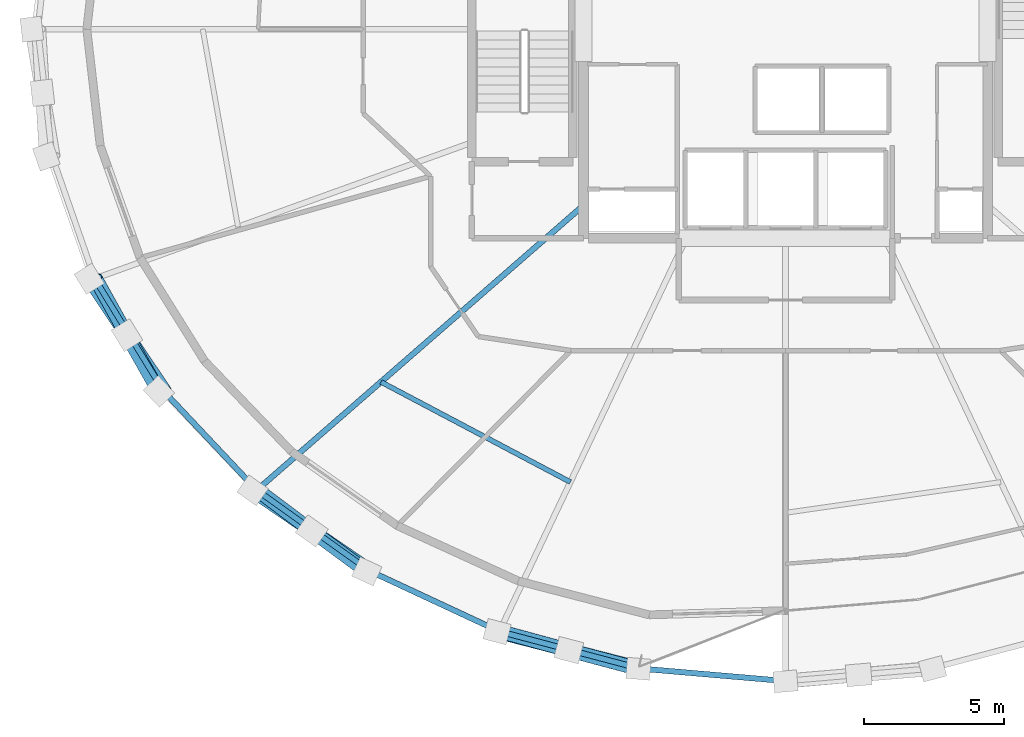
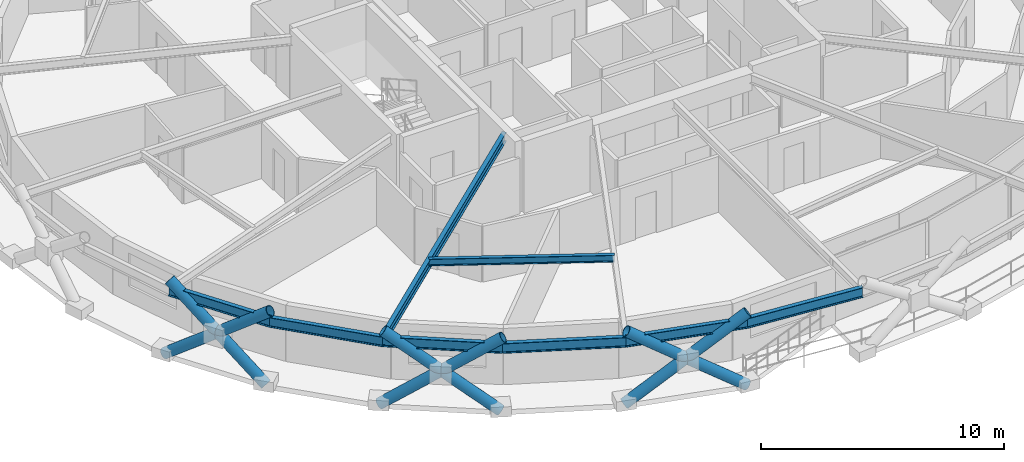
# One storey, part 1 of 16: 9 members, 8 beams.
"""IFC4 building model written with IfcOpenShell, lengths in metres."""

import ifcopenshell
import ifcopenshell.guid

model = None  # the IFC model being written
_history = None  # IfcOwnerHistory: only IFC2X3 demands one
_inside = {}  # id of a spatial element -> (the spatial element, [elements in it])
_under = {}  # id of a project, library or spatial element -> (it, [spatial elements below it])
_declared = {}  # id of a project -> (the project, [libraries it declares])
_typed = {}  # id of a type object -> (the type object, [elements of that type])
_made_of = {}  # id of a material, layer set ... -> (it, [elements and type objects made of it])


def new_model(schema):
    """Start an empty IFC model of exactly this schema.

    Asked for "IFC4X3", IfcOpenShell would pick the latest addendum, in which some entities
    have other attributes; the version numbers below select the first issue.
    IFC2X3 requires an IfcOwnerHistory on every rooted entity: one is made here for all.
    """
    global model, _history
    if schema == "IFC4X3":
        model = ifcopenshell.file(schema_version=(4, 3, 0, 0))
    else:
        model = ifcopenshell.file(schema=schema)
    _inside.clear()
    _under.clear()
    _declared.clear()
    _typed.clear()
    _made_of.clear()
    _history = None
    if model.schema == "IFC2X3":
        org = make("IfcOrganization", Name="unknown")
        user = make(
            "IfcPersonAndOrganization",
            ThePerson=make("IfcPerson", FamilyName="unknown"),
            TheOrganization=org,
        )
        app = make(
            "IfcApplication",
            ApplicationDeveloper=org,
            Version="unknown",
            ApplicationFullName="unknown",
            ApplicationIdentifier="unknown",
        )
        _history = make(
            "IfcOwnerHistory",
            OwningUser=user,
            OwningApplication=app,
            ChangeAction="ADDED",
            CreationDate=0,
        )
    return model


def make(cls, **values):
    """One entity of the class cls with the attributes given. An attribute that is None is left unset."""
    return model.create_entity(
        cls, **{name: value for name, value in values.items() if value is not None}
    )


def rooted(cls, **values):
    """An entity with a GlobalId (a new one), such as an element, a storey or a relation."""
    return make(cls, GlobalId=ifcopenshell.guid.new(), OwnerHistory=_history, **values)


def si_unit(unit_type, name, prefix=None):
    """IfcSIUnit, for example si_unit("LENGTHUNIT", "METRE", prefix="MILLI")."""
    return make("IfcSIUnit", UnitType=unit_type, Prefix=prefix, Name=name)


def assignment(units):
    """IfcUnitAssignment: the units of a project."""
    return None if units is None else make("IfcUnitAssignment", Units=units)


def point(xyz):
    """IfcCartesianPoint."""
    return None if xyz is None else make("IfcCartesianPoint", Coordinates=xyz)


def direction(xyz):
    """IfcDirection."""
    return None if xyz is None else make("IfcDirection", DirectionRatios=xyz)


def frame(location, z_axis=None, x_axis=None):
    """IfcAxis2Placement3D, a coordinate frame: its origin and axes. An axis left out is left unset."""
    return make(
        "IfcAxis2Placement3D",
        Location=point(location),
        Axis=direction(z_axis),
        RefDirection=direction(x_axis),
    )


def frame_2d(location, x_axis=None):
    """IfcAxis2Placement2D, a coordinate frame in the plane: its origin and x axis."""
    return make(
        "IfcAxis2Placement2D", Location=point(location), RefDirection=direction(x_axis)
    )


def origin():
    """The frame at (0, 0, 0) with its axes left unset."""
    return frame((0.0, 0.0, 0.0))


def origin_2d():
    """The frame at (0, 0) in the plane with its x axis left unset."""
    return frame_2d((0.0, 0.0))


def place(relative_to, where):
    """IfcLocalPlacement: puts the frame where relative to a parent placement (None: the world)."""
    return make(
        "IfcLocalPlacement", PlacementRelTo=relative_to, RelativePlacement=where
    )


def context(
    kind, dimensions, precision=None, world=None, true_north=None, identifier=None
):
    """IfcGeometricRepresentationContext, for example the 3D "Model" context."""
    return make(
        "IfcGeometricRepresentationContext",
        ContextIdentifier=identifier,
        ContextType=kind,
        CoordinateSpaceDimension=dimensions,
        Precision=precision,
        WorldCoordinateSystem=world,
        TrueNorth=true_north,
    )


def subcontext(parent, identifier, kind, view, scale=None):
    """IfcGeometricRepresentationSubContext, for example "Body" below "Model"."""
    return make(
        "IfcGeometricRepresentationSubContext",
        ContextIdentifier=identifier,
        ContextType=kind,
        ParentContext=parent,
        TargetScale=scale,
        TargetView=view,
    )


def project(units=None, contexts=None):
    """IfcProject with its units and contexts."""
    return rooted(
        "IfcProject",
        Name="project",
        RepresentationContexts=contexts,
        UnitsInContext=assignment(units),
    )


def spatial(cls, under=None, at=None, **own):
    """A site, building, storey or space (cls), placed at a placement, below another one or the project."""
    s = rooted(cls, ObjectPlacement=at, **own)
    if under is not None:
        _under.setdefault(under.id(), (under, []))[1].append(s)
    return s


def profile(cls, at=None, kind="AREA", **sizes):
    """A parametric profile (cls). Its sizes go by their IFC names, for example OverallWidth=200.0."""
    return make(cls, ProfileType=kind, Position=at, **sizes)


def hollow_circle(**sizes):
    """IfcCircleHollowProfileDef."""
    return profile("IfcCircleHollowProfileDef", **sizes)


def i_section(**sizes):
    """IfcIShapeProfileDef."""
    return profile("IfcIShapeProfileDef", **sizes)


def extrude(swept, where, along, depth):
    """IfcExtrudedAreaSolid: the profile swept, set in the frame where, extruded along a direction by depth."""
    return make(
        "IfcExtrudedAreaSolid",
        SweptArea=swept,
        Position=where,
        ExtrudedDirection=direction(along),
        Depth=depth,
    )


def shape(context_of_items, identifier, shape_type, items):
    """IfcShapeRepresentation: the items that make up one representation, for example the "Body"."""
    return make(
        "IfcShapeRepresentation",
        ContextOfItems=context_of_items,
        RepresentationIdentifier=identifier,
        RepresentationType=shape_type,
        Items=items,
    )


def material(Name=None, Category=None):
    """IfcMaterial."""
    return make("IfcMaterial", Name=Name, Category=Category)


def material_profile(
    of_material, cross_section, Name=None, Category=None, Priority=None
):
    """IfcMaterialProfile: a cross section and its material."""
    return make(
        "IfcMaterialProfile",
        Name=Name,
        Material=of_material,
        Profile=cross_section,
        Priority=Priority,
        Category=Category,
    )


def profile_set(profiles, Name=None, composite=None):
    """IfcMaterialProfileSet."""
    return make(
        "IfcMaterialProfileSet",
        Name=Name,
        MaterialProfiles=profiles,
        CompositeProfile=composite,
    )


def made_of(thing, what):
    """Note that an element or type object is made of a material, layer set ...; save() writes the relation."""
    if what is not None:
        _made_of.setdefault(what.id(), (what, []))[1].append(thing)
    return thing


def type_object(cls, material=None, **own):
    """A type object (cls), such as IfcWallType, which elements share."""
    return made_of(rooted(cls, **own), material)


def element(
    cls,
    number,
    at=None,
    inside=None,
    cuts=None,
    type_object=None,
    material=None,
    context=None,
    identifier="Body",
    shape_type=None,
    held_by="IfcProductDefinitionShape",
    body=None,
    shapes=None,
    **own,
):
    """One element of the class cls, such as IfcWall. Its Tag is "e" and its number.

    at: its placement. inside: the storey or other place that contains it. cuts: it is an
    opening in that element (IfcRelVoidsElement). A single representation is given by context,
    identifier, shape_type and body (its items); several are given by shapes. held_by: the class
    of the entity that holds the representations. save() writes the other relations.
    """
    e = rooted(cls, Tag="e%d" % number, ObjectPlacement=at, **own)
    if body is not None:
        shapes = [shape(context, identifier, shape_type, body)]
    if shapes is not None:
        e.Representation = make(held_by, Representations=shapes)
    if inside is not None:
        _inside.setdefault(inside.id(), (inside, []))[1].append(e)
    if cuts is not None:
        rooted(
            "IfcRelVoidsElement", RelatingBuildingElement=cuts, RelatedOpeningElement=e
        )
    if type_object is not None:
        _typed.setdefault(type_object.id(), (type_object, []))[1].append(e)
    return made_of(e, material)


def aggregate(whole, parts):
    """IfcRelAggregates: a whole, such as a stair, and the parts it consists of."""
    return rooted("IfcRelAggregates", RelatingObject=whole, RelatedObjects=parts)


def save(model, path):
    """Write the relations noted so far, then the file.

    IfcRelAggregates (storeys below a building ...), IfcRelContainedInSpatialStructure (elements
    in a storey), IfcRelDefinesByType, IfcRelAssociatesMaterial and IfcRelDeclares: one each for
    every whole, place, type object, material and project.
    """
    for whole, parts in _under.values():
        aggregate(whole, parts)
    for where, things in _inside.values():
        rooted(
            "IfcRelContainedInSpatialStructure",
            RelatedElements=things,
            RelatingStructure=where,
        )
    for kind, things in _typed.values():
        rooted("IfcRelDefinesByType", RelatedObjects=things, RelatingType=kind)
    for what, things in _made_of.values():
        rooted("IfcRelAssociatesMaterial", RelatedObjects=things, RelatingMaterial=what)
    for by, libraries in _declared.values():
        rooted("IfcRelDeclares", RelatingContext=by, RelatedDefinitions=libraries)
    model.write(path)


model = new_model("IFC4")

# Units and contexts
model_context = context("Model", 3, precision=1e-05, world=origin(), true_north=direction((0.0, 1.0)))
body_context = subcontext(model_context, "Body", "Model", "MODEL_VIEW")
ifc_project = project(units=[si_unit("LENGTHUNIT", "METRE"), si_unit("AREAUNIT", "SQUARE_METRE"), si_unit("VOLUMEUNIT", "CUBIC_METRE"), si_unit("PLANEANGLEUNIT", "RADIAN"), si_unit("MASSUNIT", "GRAM", prefix="KILO")], contexts=[model_context])

# Site, building, storey
site_placement = place(None, origin())
site = spatial("IfcSite", under=ifc_project, at=site_placement, CompositionType="ELEMENT")
building_placement = place(site_placement, origin())
building = spatial("IfcBuilding", under=site, at=building_placement, Name="Veldorina Hangang Commons", CompositionType="ELEMENT")
storey_placement = place(building_placement, frame((0.0, 0.0, 192.800048828125)))
storey = spatial("IfcBuildingStorey", under=building, at=storey_placement, Name="L50", CompositionType="ELEMENT", Elevation=192.800048828125)

# Beams
ifc_material_1 = material(Name="Steel SM355-TMC", Category="steel")
ifc_material_profile_1 = material_profile(ifc_material_1, i_section(OverallWidth=0.199951171875, OverallDepth=0.449951171875, WebThickness=0.009033203125, FlangeThickness=0.013916015625, FilletRadius=0.01611328125, at=origin_2d()), Name="H-450x200x9x14")
ifc_profile_set_1 = profile_set([ifc_material_profile_1], Name="Steel SM355-TMC")
beam_type_1 = type_object("IfcBeamType", Name="BM-FG450", PredefinedType="BEAM", material=ifc_profile_set_1)
beam_1_placement = place(storey_placement, frame((24.800048828125, 17.723388671875, 3.125), z_axis=(-0.753792605876, -0.657112400832, 0.0), x_axis=(0.657112400832, -0.753792605876, 0.0)))
element("IfcBeam", 1, at=beam_1_placement, inside=storey, type_object=beam_type_1, Name="L50 radial floor girder 11", PredefinedType="BEAM", context=body_context, shape_type="SweptSolid", body=[
    extrude(i_section(OverallWidth=0.199951171875, OverallDepth=0.449951171875, WebThickness=0.009033203125, FlangeThickness=0.013916015625, FilletRadius=0.01611328125, at=origin_2d()), origin(), (0.0, 0.0, 1.0), 15.4443359375),
])
ifc_material_profile_2 = material_profile(ifc_material_1, i_section(OverallWidth=0.175048828125, OverallDepth=0.35009765625, WebThickness=0.007080078125, FlangeThickness=0.010986328125, FilletRadius=0.012939453125, at=origin_2d()), Name="H-350x175x7x11")
ifc_profile_set_2 = profile_set([ifc_material_profile_2], Name="Steel SM355-TMC")
beam_type_2 = type_object("IfcBeamType", Name="BM-JST350", PredefinedType="JOIST", material=ifc_profile_set_2)
beam_2_placement = place(storey_placement, frame((17.58203125, 11.43115234375, 3.175048828125), z_axis=(0.884108150213, -0.467282332992, 0.0), x_axis=(0.467282332992, 0.884108150213, 0.0)))
element("IfcBeam", 2, at=beam_2_placement, inside=storey, type_object=beam_type_2, Name="L50 secondary floor joist 11", PredefinedType="JOIST", context=body_context, shape_type="SweptSolid", body=[
    extrude(i_section(OverallWidth=0.175048828125, OverallDepth=0.35009765625, WebThickness=0.007080078125, FlangeThickness=0.010986328125, FilletRadius=0.012939453125, at=origin_2d()), origin(), (0.0, 0.0, 1.0), 7.63525390625),
])
ifc_material_2 = material(Name="Steel SM420-TMC", Category="steel")
ifc_material_profile_3 = material_profile(ifc_material_2, i_section(OverallWidth=0.199951171875, OverallDepth=0.5, WebThickness=0.010009765625, FlangeThickness=0.01611328125, FilletRadius=0.01611328125, at=origin_2d()), Name="H-500x200x10x16")
ifc_profile_set_3 = profile_set([ifc_material_profile_3], Name="Steel SM420-TMC")
beam_type_3 = type_object("IfcBeamType", Name="BM-RB500", PredefinedType="BEAM", material=ifc_profile_set_3)
beam_3_placement = place(storey_placement, frame((7.382080078125, 15.110595703125, 3.099853515625), z_axis=(0.522688447386, -0.852523775017, 0.0), x_axis=(0.852523775017, 0.522688447386, 0.0)))
element("IfcBeam", 3, at=beam_3_placement, inside=storey, type_object=beam_type_3, Name="L50 perimeter hoop ring beam 18", PredefinedType="BEAM", context=body_context, shape_type="SweptSolid", body=[
    extrude(i_section(OverallWidth=0.199951171875, OverallDepth=0.5, WebThickness=0.010009765625, FlangeThickness=0.01611328125, FilletRadius=0.01611328125, at=origin_2d()), origin(), (0.0, 0.0, 1.0), 4.71044921875),
])
beam_4_placement = place(storey_placement, frame((9.84423828125, 11.0947265625, 3.099853515625), z_axis=(0.685474955266, -0.728096206352, 0.0), x_axis=(0.728096206352, 0.685474955266, 0.0)))
element("IfcBeam", 4, at=beam_4_placement, inside=storey, type_object=beam_type_3, Name="L50 perimeter hoop ring beam 19", PredefinedType="BEAM", context=body_context, shape_type="SweptSolid", body=[
    extrude(i_section(OverallWidth=0.199951171875, OverallDepth=0.5, WebThickness=0.010009765625, FlangeThickness=0.01611328125, FilletRadius=0.01611328125, at=origin_2d()), origin(), (0.0, 0.0, 1.0), 4.83447265625),
])
beam_5_placement = place(storey_placement, frame((13.158203125, 7.57470703125, 3.099853515625), z_axis=(0.813281360242, -0.581870629164, 0.0), x_axis=(0.581870629164, 0.813281360242, 0.0)))
element("IfcBeam", 5, at=beam_5_placement, inside=storey, type_object=beam_type_3, Name="L50 perimeter hoop ring beam 20", PredefinedType="BEAM", context=body_context, shape_type="SweptSolid", body=[
    extrude(i_section(OverallWidth=0.199951171875, OverallDepth=0.5, WebThickness=0.010009765625, FlangeThickness=0.01611328125, FilletRadius=0.01611328125, at=origin_2d()), origin(), (0.0, 0.0, 1.0), 4.96484375),
])
beam_6_placement = place(storey_placement, frame((17.196044921875, 4.685791015625, 3.099853515625), z_axis=(0.906440683499, -0.422333147288, 0.0), x_axis=(0.422333147288, 0.906440683499, 0.0)))
element("IfcBeam", 6, at=beam_6_placement, inside=storey, type_object=beam_type_3, Name="L50 perimeter hoop ring beam 21", PredefinedType="BEAM", context=body_context, shape_type="SweptSolid", body=[
    extrude(i_section(OverallWidth=0.199951171875, OverallDepth=0.5, WebThickness=0.010009765625, FlangeThickness=0.01611328125, FilletRadius=0.01611328125, at=origin_2d()), origin(), (0.0, 0.0, 1.0), 5.08251953125),
])
beam_7_placement = place(storey_placement, frame((21.802978515625, 2.539306640625, 3.099853515625), z_axis=(0.966758800249, -0.255690090034, 0.0), x_axis=(0.255690090034, 0.966758800249, 0.0)))
element("IfcBeam", 7, at=beam_7_placement, inside=storey, type_object=beam_type_3, Name="L50 perimeter hoop ring beam 22", PredefinedType="BEAM", context=body_context, shape_type="SweptSolid", body=[
    extrude(i_section(OverallWidth=0.199951171875, OverallDepth=0.5, WebThickness=0.010009765625, FlangeThickness=0.01611328125, FilletRadius=0.01611328125, at=origin_2d()), origin(), (0.0, 0.0, 1.0), 5.17041015625),
])
beam_8_placement = place(storey_placement, frame((26.801513671875, 1.21728515625, 3.099853515625), z_axis=(0.996335150659, -0.085535183178, 0.0), x_axis=(0.085535183178, 0.996335150659, 0.0)))
element("IfcBeam", 8, at=beam_8_placement, inside=storey, type_object=beam_type_3, Name="L50 perimeter hoop ring beam 23", PredefinedType="BEAM", context=body_context, shape_type="SweptSolid", body=[
    extrude(i_section(OverallWidth=0.199951171875, OverallDepth=0.5, WebThickness=0.010009765625, FlangeThickness=0.01611328125, FilletRadius=0.01611328125, at=origin_2d()), origin(), (0.0, 0.0, 1.0), 5.217529296875),
])

# Members
ifc_material_profile_4 = material_profile(ifc_material_2, hollow_circle(Radius=0.25, WallThickness=0.02490234375, at=origin_2d()), Name="CHS-500x25")
ifc_profile_set_4 = profile_set([ifc_material_profile_4], Name="Steel SM420-TMC")
member_type = type_object("IfcMemberType", Name="DG-CHS500", PredefinedType="BRACE", material=ifc_profile_set_4)
member_1_placement = place(storey_placement, frame((7.1845703125, 15.106689453125, 0.0), z_axis=(0.446378599208, -0.665960225789, 0.597698187915), x_axis=(0.830663114667, 0.556775349608, 0.0)))
element("IfcMember", 9, at=member_1_placement, inside=storey, type_object=member_type, Name="L50 continuous perimeter diagrid brace 18", PredefinedType="BRACE", context=body_context, shape_type="SweptSolid", body=[
    extrude(hollow_circle(Radius=0.25, WallThickness=0.02490234375, at=origin_2d()), origin(), (0.0, 0.0, 1.0), 6.02294921875),
])
member_2_placement = place(storey_placement, frame((9.666748046875, 11.0888671875, 0.0), z_axis=(-0.387895490788, 0.68609067036, 0.615480852888), x_axis=(-0.870505703709, -0.49215832799, 0.0)))
element("IfcMember", 10, at=member_2_placement, inside=storey, type_object=member_type, Name="L50 split perimeter diagrid lower brace 19", PredefinedType="BRACE", context=body_context, shape_type="SweptSolid", body=[
    extrude(hollow_circle(Radius=0.25, WallThickness=0.02490234375, at=origin_2d()), origin(), (0.0, 0.0, 1.0), 2.928466796875),
])
member_3_placement = place(storey_placement, frame((8.53076171875, 13.09814453125, 1.802490234375), z_axis=(-0.382412034186, 0.689261122164, 0.615369922553), x_axis=(-0.87443224794, -0.485147651507, 0.0)))
element("IfcMember", 11, at=member_3_placement, inside=storey, type_object=member_type, Name="L50 split perimeter diagrid upper brace 19", PredefinedType="BRACE", context=body_context, shape_type="SweptSolid", body=[
    extrude(hollow_circle(Radius=0.25, WallThickness=0.02490234375, at=origin_2d()), origin(), (0.0, 0.0, 1.0), 2.9208984375),
])
member_4_placement = place(storey_placement, frame((13.007080078125, 7.5673828125, 0.0), z_axis=(0.674154169776, -0.461417773314, 0.576723325212), x_axis=(0.564812636367, 0.825219174402, 0.0)))
element("IfcMember", 12, at=member_4_placement, inside=storey, type_object=member_type, Name="L50 continuous perimeter diagrid brace 20", PredefinedType="BRACE", context=body_context, shape_type="SweptSolid", body=[
    extrude(hollow_circle(Radius=0.25, WallThickness=0.02490234375, at=origin_2d()), origin(), (0.0, 0.0, 1.0), 6.241943359375),
])
member_5_placement = place(storey_placement, frame((17.077392578125, 4.677001953125, 0.0), z_axis=(-0.646359989093, 0.476917998431, 0.595624031813), x_axis=(-0.593725578568, -0.804667594324, 0.0)))
element("IfcMember", 13, at=member_5_placement, inside=storey, type_object=member_type, Name="L50 split perimeter diagrid lower brace 21", PredefinedType="BRACE", context=body_context, shape_type="SweptSolid", body=[
    extrude(hollow_circle(Radius=0.25, WallThickness=0.02490234375, at=origin_2d()), origin(), (0.0, 0.0, 1.0), 3.031494140625),
])
member_6_placement = place(storey_placement, frame((15.117919921875, 6.122802734375, 1.8056640625), z_axis=(-0.642416392585, 0.48227828337, 0.595574374808), x_axis=(-0.60037119501, -0.799721469139, 0.0)))
element("IfcMember", 14, at=member_6_placement, inside=storey, type_object=member_type, Name="L50 split perimeter diagrid upper brace 21", PredefinedType="BRACE", context=body_context, shape_type="SweptSolid", body=[
    extrude(hollow_circle(Radius=0.25, WallThickness=0.02490234375, at=origin_2d()), origin(), (0.0, 0.0, 1.0), 3.012451171875),
])
member_7_placement = place(storey_placement, frame((21.72119140625, 2.529541015625, 0.0), z_axis=(0.798821091095, -0.205791218361, 0.565274127187), x_axis=(0.24947319607, 0.968381703897, 0.0)))
element("IfcMember", 15, at=member_7_placement, inside=storey, type_object=member_type, Name="L50 continuous perimeter diagrid brace 22", PredefinedType="BRACE", context=body_context, shape_type="SweptSolid", body=[
    extrude(hollow_circle(Radius=0.25, WallThickness=0.02490234375, at=origin_2d()), origin(), (0.0, 0.0, 1.0), 6.368408203125),
])
member_8_placement = place(storey_placement, frame((26.760009765625, 1.20703125, 0.0), z_axis=(-0.790284430366, 0.211337978872, 0.575140659151), x_axis=(-0.258342164045, -0.966053480029, 0.0)))
element("IfcMember", 16, at=member_8_placement, inside=storey, type_object=member_type, Name="L50 split perimeter diagrid lower brace 23", PredefinedType="BRACE", context=body_context, shape_type="SweptSolid", body=[
    extrude(hollow_circle(Radius=0.25, WallThickness=0.02490234375, at=origin_2d()), origin(), (0.0, 0.0, 1.0), 3.143310546875),
])
member_9_placement = place(storey_placement, frame((24.27587890625, 1.871337890625, 1.807861328125), z_axis=(-0.789377591951, 0.214836065224, 0.57508997766), x_axis=(-0.262606830507, -0.96490292391, 0.0)))
element("IfcMember", 17, at=member_9_placement, inside=storey, type_object=member_type, Name="L50 split perimeter diagrid upper brace 23", PredefinedType="BRACE", context=body_context, shape_type="SweptSolid", body=[
    extrude(hollow_circle(Radius=0.25, WallThickness=0.02490234375, at=origin_2d()), origin(), (0.0, 0.0, 1.0), 3.115966796875),
])

save(model, "model.ifc")
